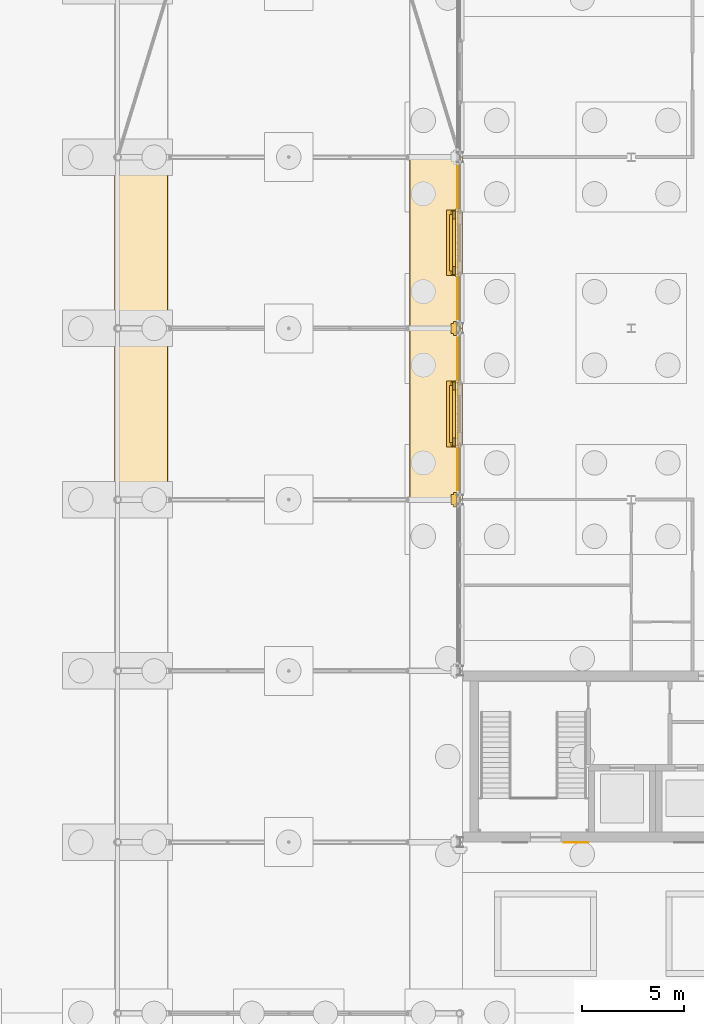
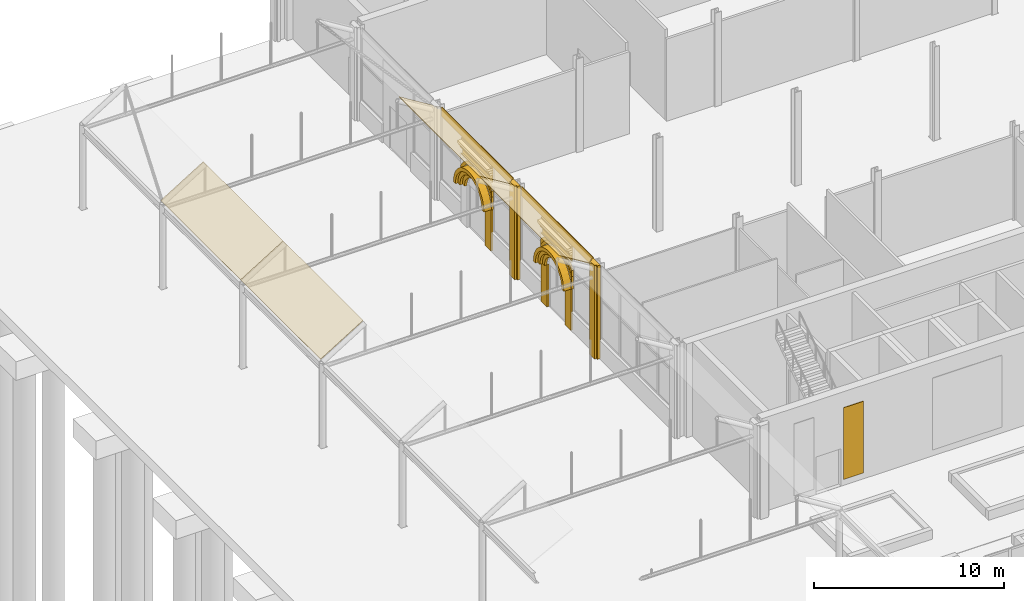
# One storey, part 201 of 212: 37 coverings.
"""IFC4 building model written with IfcOpenShell, lengths in metres."""

from ifc_helpers import new_model, si_unit, direction, frame, origin, origin_2d, place, context, subcontext, project, spatial, polyline, rectangle, outline, extrude, material, layer, layer_set, type_object, element, save


model = new_model("IFC4")

# Units and contexts
model_context = context("Model", 3, precision=1e-05, world=origin(), true_north=direction((0.0, 1.0)))
body_context = subcontext(model_context, "Body", "Model", "MODEL_VIEW")
ifc_project = project(units=[si_unit("LENGTHUNIT", "METRE"), si_unit("AREAUNIT", "SQUARE_METRE"), si_unit("VOLUMEUNIT", "CUBIC_METRE"), si_unit("PLANEANGLEUNIT", "RADIAN"), si_unit("MASSUNIT", "GRAM", prefix="KILO")], contexts=[model_context])

# Site, building, storey
site_placement = place(None, origin())
site = spatial("IfcSite", under=ifc_project, at=site_placement, CompositionType="ELEMENT")
building_placement = place(site_placement, origin())
building = spatial("IfcBuilding", under=site, at=building_placement, Name="Catenary Quay Ferry Terminal", CompositionType="ELEMENT")
storey_placement = place(building_placement, origin())
storey = spatial("IfcBuildingStorey", under=building, at=storey_placement, Name="L00", CompositionType="ELEMENT", Elevation=0.0)

# Coverings
ifc_material_1 = material(Name="Facing brick", Category="masonry")
ifc_layer_1 = layer(ifc_material_1, 0.114990234375)
ifc_layer_set_1 = layer_set([ifc_layer_1], Name="BK1")
covering_type_1 = type_object("IfcCoveringType", Name="BK1", PredefinedType="CLADDING", material=ifc_layer_set_1)
for number, where, z_axis, x_axis, name in (
    (1, (25.04248046875, 179.342529296875, 0.0), (0.0, 0.0, 1.0), (1.0, 0.0, 0.0), "Facing brick, lobby entrance"),
    (2, (25.04248046875, 181.857421875, 0.0), (0.0, 0.0, 1.0), (1.0, 0.0, 0.0), "Facing brick, lobby entrance"),
):
    element("IfcCovering", number, at=place(storey_placement, frame(where, z_axis=z_axis, x_axis=x_axis)), inside=storey, type_object=covering_type_1, Name=name, PredefinedType="CLADDING", context=body_context, shape_type="SweptSolid", body=[
        extrude(rectangle(XDim=0.114990234375, YDim=0.614990234375, at=origin_2d()), origin(), (0.0, 0.0, 1.0), 2.699951171875),
    ])
covering_1_placement = place(storey_placement, frame((25.04248046875, 180.60009765625, 4.35009765625), z_axis=(0.0, 0.0, 1.0), x_axis=(1.0, 0.0, 0.0)))
element("IfcCovering", 3, at=covering_1_placement, inside=storey, type_object=covering_type_1, Name="Facing brick, lobby entrance", PredefinedType="CLADDING", context=body_context, shape_type="SweptSolid", body=[
    extrude(rectangle(XDim=0.114990234375, YDim=3.1298828125, at=origin_2d()), origin(), (0.0, 0.0, 1.0), 0.050048828125),
])
covering_2_placement = place(storey_placement, frame((25.04248046875, 180.60009765625, 5.300048828125), z_axis=(0.0, 0.0, 1.0), x_axis=(1.0, 0.0, 0.0)))
element("IfcCovering", 4, at=covering_2_placement, inside=storey, type_object=covering_type_1, Name="Facing brick, lobby entrance", PredefinedType="CLADDING", context=body_context, shape_type="SweptSolid", body=[
    extrude(rectangle(XDim=0.114990234375, YDim=3.1298828125, at=origin_2d()), origin(), (0.0, 0.0, 1.0), 0.10009765625),
])
covering_3_placement = place(storey_placement, frame((25.04248046875, 187.742431640625, 0.0), z_axis=(0.0, 0.0, 1.0), x_axis=(1.0, 0.0, 0.0)))
element("IfcCovering", 5, at=covering_3_placement, inside=storey, type_object=covering_type_1, Name="Facing brick, lobby entrance", PredefinedType="CLADDING", context=body_context, shape_type="SweptSolid", body=[
    extrude(rectangle(XDim=0.114990234375, YDim=0.614990234375, at=origin_2d()), origin(), (0.0, 0.0, 1.0), 2.699951171875),
])
covering_4_placement = place(storey_placement, frame((25.04248046875, 189.0, 4.35009765625), z_axis=(0.0, 0.0, 1.0), x_axis=(1.0, 0.0, 0.0)))
element("IfcCovering", 6, at=covering_4_placement, inside=storey, type_object=covering_type_1, Name="Facing brick, lobby entrance", PredefinedType="CLADDING", context=body_context, shape_type="SweptSolid", body=[
    extrude(rectangle(XDim=0.114990234375, YDim=3.1298828125, at=origin_2d()), origin(), (0.0, 0.0, 1.0), 0.050048828125),
])
covering_5_placement = place(storey_placement, frame((25.04248046875, 189.0, 5.300048828125), z_axis=(0.0, 0.0, 1.0), x_axis=(1.0, 0.0, 0.0)))
element("IfcCovering", 7, at=covering_5_placement, inside=storey, type_object=covering_type_1, Name="Facing brick, lobby entrance", PredefinedType="CLADDING", context=body_context, shape_type="SweptSolid", body=[
    extrude(rectangle(XDim=0.114990234375, YDim=3.1298828125, at=origin_2d()), origin(), (0.0, 0.0, 1.0), 0.10009765625),
])
ifc_material_2 = material(Name="Ceramic tile")
ifc_layer_2 = layer(ifc_material_2, 0.0400390625)
ifc_layer_set_2 = layer_set([ifc_layer_2], Name="CL2")
covering_type_2 = type_object("IfcCoveringType", Name="CL2", PredefinedType="CLADDING", material=ifc_layer_set_2)
covering_6_placement = place(storey_placement, origin())
element("IfcCovering", 8, at=covering_6_placement, inside=storey, type_object=covering_type_2, Name="Ceramic pier casing", PredefinedType="CLADDING", context=body_context, shape_type="SweptSolid", body=[
    extrude(outline(polyline([(25.050048828125, 176.75), (24.8701171875, 176.75), (24.8701171875, 176.64990234375), (24.75, 176.64990234375), (24.75, 176.14990234375), (24.8701171875, 176.14990234375), (24.8701171875, 176.050048828125), (25.050048828125, 176.050048828125), (25.050048828125, 176.75)])), origin(), (0.0, 0.0, 1.0), 6.0),
])
covering_7_placement = place(storey_placement, origin())
element("IfcCovering", 9, at=covering_7_placement, inside=storey, type_object=covering_type_2, Name="Ceramic pier casing", PredefinedType="CLADDING", context=body_context, shape_type="SweptSolid", body=[
    extrude(outline(polyline([(25.050048828125, 185.14990234375), (24.8701171875, 185.14990234375), (24.8701171875, 185.050048828125), (24.75, 185.050048828125), (24.75, 184.550048828125), (24.8701171875, 184.550048828125), (24.8701171875, 184.449951171875), (25.050048828125, 184.449951171875), (25.050048828125, 185.14990234375)])), origin(), (0.0, 0.0, 1.0), 6.0),
])
ifc_material_3 = material(Name="Ceramic tile")
ifc_layer_3 = layer(ifc_material_3, 0.034912109375)
ifc_layer_set_3 = layer_set([ifc_layer_3], Name="CL5")
covering_type_3 = type_object("IfcCoveringType", Name="CL5", PredefinedType="CLADDING", material=ifc_layer_set_3)
covering_8_placement = place(storey_placement, frame((30.89990234375, 159.58251953125, 0.39990234375), z_axis=(0.0, 0.0, 1.0), x_axis=(1.0, 0.0, 0.0)))
element("IfcCovering", 10, at=covering_8_placement, inside=storey, type_object=covering_type_3, Name="Core h159.6 cladding CV301", PredefinedType="CLADDING", context=body_context, shape_type="SweptSolid", body=[
    extrude(rectangle(XDim=1.199951171875, YDim=0.034912109375, at=origin_2d()), origin(), (0.0, 0.0, 1.0), 4.60009765625),
])
ifc_material_4 = material(Name="Glazed ceramic tile, ochre")
ifc_layer_4 = layer(ifc_material_4, 0.030029296875)
ifc_layer_set_4 = layer_set([ifc_layer_4], Name="CL6")
covering_type_4 = type_object("IfcCoveringType", Name="CL6", PredefinedType="CLADDING", material=ifc_layer_set_4)
for number, where, z_axis, x_axis, name in (
    (11, (25.08056640625, 180.60009765625, 5.39990234375), (0.0, 0.0, 1.0), (1.0, 0.0, 0.0), "Band wing v25.2 cladding CV297"),
    (12, (25.08056640625, 189.0, 5.39990234375), (0.0, 0.0, 1.0), (1.0, 0.0, 0.0), "Band wing v25.2 cladding CV298"),
):
    element("IfcCovering", number, at=place(storey_placement, frame(where, z_axis=z_axis, x_axis=x_axis)), inside=storey, type_object=covering_type_4, Name=name, PredefinedType="CLADDING", context=body_context, shape_type="SweptSolid", body=[
        extrude(rectangle(XDim=0.030029296875, YDim=7.5, at=origin_2d()), origin(), (0.0, 0.0, 1.0), 0.60009765625),
    ])
ifc_material_5 = material(Name="Facing brick", Category="masonry")
ifc_layer_5 = layer(ifc_material_5, 0.10009765625)
ifc_layer_set_5 = layer_set([ifc_layer_5], Name="CN1")
covering_type_5 = type_object("IfcCoveringType", Name="CN1", PredefinedType="CLADDING", material=ifc_layer_set_5)
covering_9_placement = place(storey_placement, frame((25.0048828125, 180.60009765625, 4.85009765625), z_axis=(0.0, 0.0, 1.0), x_axis=(1.0, 0.0, 0.0)))
element("IfcCovering", 13, at=covering_9_placement, inside=storey, type_object=covering_type_5, Name="Brick corbelled cornice, lobby entrance", PredefinedType="CLADDING", context=body_context, shape_type="SweptSolid", body=[
    extrude(rectangle(XDim=0.18994140625, YDim=3.1298828125, at=origin_2d()), origin(), (0.0, 0.0, 1.0), 0.14990234375),
])
covering_10_placement = place(storey_placement, frame((24.967529296875, 180.60009765625, 5.0), z_axis=(0.0, 0.0, 1.0), x_axis=(1.0, 0.0, 0.0)))
element("IfcCovering", 14, at=covering_10_placement, inside=storey, type_object=covering_type_5, Name="Brick corbelled cornice, lobby entrance", PredefinedType="CLADDING", context=body_context, shape_type="SweptSolid", body=[
    extrude(rectangle(XDim=0.264892578125, YDim=3.1298828125, at=origin_2d()), origin(), (0.0, 0.0, 1.0), 0.14990234375),
])
covering_11_placement = place(storey_placement, frame((24.929931640625, 180.60009765625, 5.150146484375), z_axis=(0.0, 0.0, 1.0), x_axis=(1.0, 0.0, 0.0)))
element("IfcCovering", 15, at=covering_11_placement, inside=storey, type_object=covering_type_5, Name="Brick corbelled cornice, lobby entrance", PredefinedType="CLADDING", context=body_context, shape_type="SweptSolid", body=[
    extrude(rectangle(XDim=0.340087890625, YDim=3.1298828125, at=origin_2d()), origin(), (0.0, 0.0, 1.0), 0.14990234375),
])
covering_12_placement = place(storey_placement, frame((25.0048828125, 189.0, 4.85009765625), z_axis=(0.0, 0.0, 1.0), x_axis=(1.0, 0.0, 0.0)))
element("IfcCovering", 16, at=covering_12_placement, inside=storey, type_object=covering_type_5, Name="Brick corbelled cornice, lobby entrance", PredefinedType="CLADDING", context=body_context, shape_type="SweptSolid", body=[
    extrude(rectangle(XDim=0.18994140625, YDim=3.1298828125, at=origin_2d()), origin(), (0.0, 0.0, 1.0), 0.14990234375),
])
covering_13_placement = place(storey_placement, frame((24.967529296875, 189.0, 5.0), z_axis=(0.0, 0.0, 1.0), x_axis=(1.0, 0.0, 0.0)))
element("IfcCovering", 17, at=covering_13_placement, inside=storey, type_object=covering_type_5, Name="Brick corbelled cornice, lobby entrance", PredefinedType="CLADDING", context=body_context, shape_type="SweptSolid", body=[
    extrude(rectangle(XDim=0.264892578125, YDim=3.1298828125, at=origin_2d()), origin(), (0.0, 0.0, 1.0), 0.14990234375),
])
covering_14_placement = place(storey_placement, frame((24.929931640625, 189.0, 5.150146484375), z_axis=(0.0, 0.0, 1.0), x_axis=(1.0, 0.0, 0.0)))
element("IfcCovering", 18, at=covering_14_placement, inside=storey, type_object=covering_type_5, Name="Brick corbelled cornice, lobby entrance", PredefinedType="CLADDING", context=body_context, shape_type="SweptSolid", body=[
    extrude(rectangle(XDim=0.340087890625, YDim=3.1298828125, at=origin_2d()), origin(), (0.0, 0.0, 1.0), 0.14990234375),
])
ifc_material_6 = material(Name="Ceramic tile")
ifc_layer_6 = layer(ifc_material_6, 0.030029296875)
ifc_layer_set_6 = layer_set([ifc_layer_6], Name="FR1")
covering_type_6 = type_object("IfcCoveringType", Name="FR1", PredefinedType="CLADDING", material=ifc_layer_set_6)
for number, where, z_axis, x_axis, name in (
    (19, (25.0849609375, 180.60009765625, 4.39990234375), (0.0, 0.0, 1.0), (1.0, 0.0, 0.0), "Glazed tile frieze, lobby entrance"),
    (20, (25.0849609375, 189.0, 4.39990234375), (0.0, 0.0, 1.0), (1.0, 0.0, 0.0), "Glazed tile frieze, lobby entrance"),
):
    element("IfcCovering", number, at=place(storey_placement, frame(where, z_axis=z_axis, x_axis=x_axis)), inside=storey, type_object=covering_type_6, Name=name, PredefinedType="CLADDING", context=body_context, shape_type="SweptSolid", body=[
        extrude(rectangle(XDim=0.030029296875, YDim=3.1298828125, at=origin_2d()), origin(), (0.0, 0.0, 1.0), 0.449951171875),
    ])
ifc_material_7 = material(Name="Glazed ceramic tile, teal")
ifc_layer_7 = layer(ifc_material_7, 0.14990234375)
ifc_layer_set_7 = layer_set([ifc_layer_7], Name="KO1")
covering_type_7 = type_object("IfcCoveringType", Name="KO1", PredefinedType="CLADDING", material=ifc_layer_set_7)
covering_15_placement = place(storey_placement, frame((24.985107421875, 181.77001953125, 2.699951171875), z_axis=(1.0, 0.0, 0.0), x_axis=(0.0, -0.097922833129, 0.995194010609)))
element("IfcCovering", 21, at=covering_15_placement, inside=storey, type_object=covering_type_7, Name="Archivolt order, lobby door", PredefinedType="CLADDING", context=body_context, shape_type="SweptSolid", body=[
    extrude(outline(polyline([(0.0, 0.0), (0.22937385267755514, -3.469446951953614e-18), (0.45432803944068306, 0.04483772898263613), (0.666338696147507, 0.13265338279988656), (0.856981484293804, 0.26010544663556945), (1.0191464274517381, 0.4222511602969332), (1.1465997905777296, 0.6130802666735129), (1.2341553264751577, 0.8247622029322093), (1.2791042747082275, 1.049713271398596), (1.2788852143621632, 1.2793539983055797), (1.2342665457255912, 1.5040413108392792), (1.146450891908341, 1.716051967546103), (1.018998828072658, 1.9066947556924003), (0.8568531144112943, 2.0688596988503343), (0.6660240080347146, 2.196313061976326), (0.4541230114299538, 2.284135472103182), (0.22914803602188505, 2.3288414530485055), (0.20760788156641105, 2.1099279267890685), (0.3902270323397208, 2.0735600114714634), (0.5622858113411345, 2.0021692061639262), (0.7172202039305751, 1.898854578111016), (0.8489999439268219, 1.7671533152494208), (0.9524910156036674, 1.6122316557050065), (1.0236269001526175, 1.4401320789878962), (1.0598706033167011, 1.2574825248213606), (1.059947781161044, 1.071277332795752), (1.0235798658434387, 0.8886581820224423), (0.9524559347653299, 0.716818463367093), (0.8491413067124197, 0.5618840707776525), (0.7174400438508247, 0.43010433078140553), (0.5625183843064104, 0.32661325910456), (0.3903949006476183, 0.2552344072678638), (0.20774534648108248, 0.21899070410377994), (0.021540154455474015, 0.218913526259437), (0.0, 0.0)])), origin(), (0.0, 0.0, -1.0), 0.14990234375),
])
covering_16_placement = place(storey_placement, frame((24.985107421875, 190.169921875, 2.699951171875), z_axis=(1.0, 0.0, 0.0), x_axis=(0.0, -0.097922833129, 0.995194010609)))
element("IfcCovering", 22, at=covering_16_placement, inside=storey, type_object=covering_type_7, Name="Archivolt order, lobby door", PredefinedType="CLADDING", context=body_context, shape_type="SweptSolid", body=[
    extrude(outline(polyline([(0.0, 0.0), (0.22937385267755514, -3.469446951953614e-18), (0.45432803944068306, 0.04483772898263613), (0.666314789205825, 0.13241041551214025), (0.8569575773521221, 0.25986247934782314), (1.0191464274517381, 0.4222511602969332), (1.1465758836360478, 0.6128372993857666), (1.2341553264751577, 0.8247622029322093), (1.2791042747082275, 1.049713271398596), (1.278861307420481, 1.2791110310178333), (1.2342665457255912, 1.5040413108392792), (1.146426984966659, 1.7158090002583568), (1.018998828072658, 1.9066947556924003), (0.8568531144112943, 2.0688596988503343), (0.6660001010930325, 2.19607009468858), (0.45409910448827184, 2.283892504815436), (0.22912412908020305, 2.328598485760759), (0.20758397462472905, 2.1096849595013225), (0.3902031253980388, 2.073317044183717), (0.5622858113411345, 2.0021692061639262), (0.7171962969888931, 1.8986116108232698), (0.8489999439268219, 1.7671533152494208), (0.9524910156036674, 1.6122316557050065), (1.0236269001526175, 1.4401320789878962), (1.0598706033167011, 1.2574825248213606), (1.059947781161044, 1.071277332795752), (1.0235798658434387, 0.8886581820224423), (0.9524320278236478, 0.7165754960793467), (0.8491173997707377, 0.5616411034899061), (0.7174161369091427, 0.4298613634936592), (0.5625183843064104, 0.32661325910456), (0.3903949006476183, 0.2552344072678638), (0.20774534648108248, 0.21899070410377994), (0.021540154455474015, 0.218913526259437), (0.0, 0.0)])), origin(), (0.0, 0.0, -1.0), 0.14990234375),
])
ifc_material_8 = material(Name="Glazed ceramic tile, cream")
ifc_layer_8 = layer(ifc_material_8, 0.300048828125)
ifc_layer_set_8 = layer_set([ifc_layer_8], Name="KO2")
covering_type_8 = type_object("IfcCoveringType", Name="KO2", PredefinedType="CLADDING", material=ifc_layer_set_8)
covering_17_placement = place(storey_placement, frame((24.985107421875, 181.989990234375, 2.699951171875), z_axis=(1.0, 0.0, 0.0), x_axis=(0.0, -0.097641012893, 0.995221700226)))
element("IfcCovering", 23, at=covering_17_placement, inside=storey, type_object=covering_type_8, Name="Archivolt order, lobby door", PredefinedType="CLADDING", context=body_context, shape_type="SweptSolid", body=[
    extrude(outline(polyline([(0.0, 0.0), (0.2725425242570072, 3.469446951953614e-18), (0.5397623641054137, 0.053264460230237655), (0.7914115259260797, 0.15785505577028286), (1.017951692774445, 0.30906539462107696), (1.210549631711756, 0.5018745963219143), (1.3618345467554718, 0.7286651729676272), (1.466017269568833, 0.9804378994481198), (1.519204747922506, 1.2475168974541755), (1.5189617738745993, 1.520083259849096), (1.4656973136443616, 1.7873030996975023), (1.3613496921522232, 2.038928423380255), (1.2098963792535222, 2.265492428366534), (1.0170871775526849, 2.458090367303845), (0.7905395749548787, 2.6093514442096475), (0.538766848474386, 2.7135341670230084), (0.27144487642042375, 2.766745483514595), (0.2499667141604078, 2.547825866350579), (0.47495434026521743, 2.503183594994081), (0.6868801976830488, 2.4154211939313392), (0.8777453883021189, 2.2880218743783844), (1.0399370168860322, 2.125902853700776), (1.1674430613133153, 1.935296164724033), (1.2553187482057746, 1.7233103839136488), (1.3000010413901455, 1.4986357153808956), (1.30028513075849, 1.2689950597141912), (1.2553998853540855, 1.0440312717472953), (1.1679042964771635, 0.8323245502394572), (1.0405049769242087, 0.6414593596203871), (0.8783859562466004, 0.47926773103647363), (0.6877792672698577, 0.35176168660919066), (0.4757934864594734, 0.2638859997167314), (0.2508520057408999, 0.2189845706223673), (0.02147816226001597, 0.21891961716401598), (0.0, 0.0)])), origin(), (0.0, 0.0, -1.0), 0.300048828125),
])
covering_18_placement = place(storey_placement, frame((24.985107421875, 190.389892578125, 2.699951171875), z_axis=(1.0, 0.0, 0.0), x_axis=(0.0, -0.097641012893, 0.995221700226)))
element("IfcCovering", 24, at=covering_18_placement, inside=storey, type_object=covering_type_8, Name="Archivolt order, lobby door", PredefinedType="CLADDING", context=body_context, shape_type="SweptSolid", body=[
    extrude(outline(polyline([(0.0, 0.0), (0.2725425242570072, 3.469446951953614e-18), (0.5397623641054137, 0.053264460230237655), (0.7913876877881663, 0.15761208172237606), (1.017951692774445, 0.30906539462107696), (1.210549631711756, 0.5018745963219143), (1.3618107086175584, 0.7284221989197205), (1.4659934314309195, 0.9801949254002131), (1.519204747922506, 1.2475168974541755), (1.5189617738745993, 1.520083259849096), (1.4656973136443616, 1.7873030996975023), (1.3613496921522232, 2.038928423380255), (1.2098963792535222, 2.265492428366534), (1.0170871775526849, 2.458090367303845), (0.7905395749548787, 2.6093514442096475), (0.538766848474386, 2.7135341670230084), (0.27142103828251035, 2.766502509466688), (0.24994287602249435, 2.547582892302672), (0.474930502127304, 2.502940620946174), (0.6868563595451354, 2.4151782198834324), (0.8777453883021189, 2.2880218743783844), (1.0399370168860322, 2.125902853700776), (1.167419223175402, 1.9350531906761261), (1.2553187482057746, 1.7233103839136488), (1.2999772032522319, 1.4983927413329887), (1.30028513075849, 1.2689950597141912), (1.2553998853540855, 1.0440312717472953), (1.1678804583392501, 0.8320815761915504), (1.0405049769242087, 0.6414593596203871), (0.8783621181086869, 0.4790247569885668), (0.6877554291319443, 0.35151871256128386), (0.4757934864594734, 0.2638859997167314), (0.2508520057408999, 0.2189845706223673), (0.02147816226001597, 0.21891961716401598), (0.0, 0.0)])), origin(), (0.0, 0.0, -1.0), 0.300048828125),
])
ifc_material_9 = material(Name="Glazed ceramic tile, ochre")
ifc_layer_9 = layer(ifc_material_9, 0.449951171875)
ifc_layer_set_9 = layer_set([ifc_layer_9], Name="KO3")
covering_type_9 = type_object("IfcCoveringType", Name="KO3", PredefinedType="CLADDING", material=ifc_layer_set_9)
covering_19_placement = place(storey_placement, frame((24.985107421875, 182.2099609375, 2.699951171875), z_axis=(1.0, 0.0, 0.0), x_axis=(0.0, -0.097436256961, 0.995241767527)))
element("IfcCovering", 25, at=covering_19_placement, inside=storey, type_object=covering_type_9, Name="Archivolt order, lobby door", PredefinedType="CLADDING", context=body_context, shape_type="SweptSolid", body=[
    extrude(outline(polyline([(0.0, 0.0), (0.3157112117147934, 0.0), (0.6252205132400924, 0.06193414422111472), (0.9167034955324201, 0.18278983354937883), (1.1789695337950616, 0.3585111886362106), (1.4022196099286155, 0.5817170867793737), (1.577312278229115, 0.844226103989165), (1.6978553233176894, 1.1358705058617673), (1.7593052087979806, 1.4453203370153864), (1.7590622298508305, 1.7610553368788515), (1.6973710645768658, 2.0705408502554787), (1.5765153752486019, 2.3620238325478065), (1.4007940201617701, 2.624289870810448), (1.177588122018607, 2.8475399469440017), (0.9150791048088156, 3.0226326152445013), (0.6234347029362134, 3.1431756603330756), (0.31374189283544435, 3.2046493339620388), (0.29230877088194257, 2.985725302579842), (0.5596416848117269, 2.9325689852187073), (0.811435840198244, 2.828438063560359), (1.038014557992406, 2.677223599066151), (1.2308633801231017, 2.4846653321799494), (1.382363302401374, 2.258132491529655), (1.4867626903090212, 2.006528641332514), (1.5400821264039066, 1.7393197656065198), (1.5403811774157836, 1.4667534589688882), (1.4872486482033211, 1.1996635239862536), (1.383117726544973, 0.9478693685997367), (1.2318794739020928, 0.7210476718584247), (1.0393212070158913, 0.5281988497277289), (0.8128121545142688, 0.3769419063966066), (0.5611845161684559, 0.2722995395418096), (0.2939756404424615, 0.218980103446924), (0.02143312195350181, 0.21892403138219707), (0.0, 0.0)])), origin(), (0.0, 0.0, -1.0), 0.449951171875),
])
covering_20_placement = place(storey_placement, frame((24.985107421875, 190.610107421875, 2.699951171875), z_axis=(1.0, 0.0, 0.0), x_axis=(0.0, -0.09820213219, 0.995166489203)))
element("IfcCovering", 26, at=covering_20_placement, inside=storey, type_object=covering_type_9, Name="Archivolt order, lobby door", PredefinedType="CLADDING", context=body_context, shape_type="SweptSolid", body=[
    extrude(outline(polyline([(0.0, 0.0), (0.3157350933576299, -3.469446951953614e-18), (0.6252919656349863, 0.06169593809109913), (0.9168678680265029, 0.1823272762815218), (1.179245082652997, 0.35760378777778584), (1.4026668643165654, 0.5806378141903725), (1.5779614987456894, 0.8430120083280566), (1.6987289477131118, 1.1345635580285427), (1.7604409321510142, 1.4442089683841415), (1.7604409321510142, 1.7599440617417716), (1.6989879546285682, 2.069476958889199), (1.5783566164381455, 2.361052861280715), (1.4028371443732284, 2.6234540510371387), (1.1797791428307125, 2.8466328721320537), (0.9174049486930284, 3.021927506561178), (0.6258773741224716, 3.1429379160972535), (0.31623196376687246, 3.2046499005351556), (0.2946063965706845, 2.985499467610007), (0.5619222991820544, 2.932380396275411), (0.8136362444065486, 2.828055733267343), (1.0400985256184683, 2.6766669463053954), (1.2327991043762312, 2.483960326570012), (1.38412464985372, 2.257310963832424), (1.4883303811148947, 2.0056268459349287), (1.5414441665940735, 1.738377016516277), (1.5415334597945187, 1.4658105604504004), (1.488171427891269, 1.1985186329689597), (1.3838467648832016, 0.9468046877444654), (1.2324579779212534, 0.7203424065325459), (1.0397513581858706, 0.527641827774783), (0.8131019954482825, 0.37631628229729397), (0.5614178775507869, 0.2721105510361196), (0.29416804813213543, 0.21899676555694064), (0.02162556719618794, 0.21915043292514863), (0.0, 0.0)])), origin(), (0.0, 0.0, -1.0), 0.449951171875),
])
ifc_material_10 = material(Name="Laminated glass", Category="glass")
ifc_layer_10 = layer(ifc_material_10, 0.030029296875)
ifc_layer_set_10 = layer_set([ifc_layer_10], Name="RF2")
covering_type_10 = type_object("IfcCoveringType", Name="RF2", PredefinedType="ROOFING", material=ifc_layer_set_10)
for number, where, z_axis, x_axis, name in (
    (27, (8.265380859375, 176.39990234375, 5.618408203125), (-0.524540171999, 0.0, 0.851385698705), (0.0, 1.0, 0.0), "Forecourt canopy roof"),
    (28, (22.74169921875, 176.39990234375, 7.2158203125), (0.524540171999, 0.0, 0.851385698705), (0.0, 1.0, 0.0), "Forecourt canopy roof"),
):
    element("IfcCovering", number, at=place(storey_placement, frame(where, z_axis=z_axis, x_axis=x_axis)), inside=storey, type_object=covering_type_10, Name=name, PredefinedType="ROOFING", context=body_context, shape_type="SweptSolid", body=[
        extrude(outline(polyline([(0.0, 0.0), (8.400146484375, 0.0), (8.400146484375, -3.0453570472743348), (0.0, -3.0453570472743348), (0.0, 0.0)])), origin(), (0.0, 0.0, -1.0), 0.03515625),
    ])
for number, where, z_axis, x_axis, name in (
    (29, (8.265380859375, 184.800048828125, 5.618408203125), (-0.524540171999, 0.0, 0.851385698705), (0.0, 1.0, 0.0), "Forecourt canopy roof"),
    (30, (22.74169921875, 184.800048828125, 7.2158203125), (0.524540171999, 0.0, 0.851385698705), (0.0, 1.0, 0.0), "Forecourt canopy roof"),
):
    element("IfcCovering", number, at=place(storey_placement, frame(where, z_axis=z_axis, x_axis=x_axis)), inside=storey, type_object=covering_type_10, Name=name, PredefinedType="ROOFING", context=body_context, shape_type="SweptSolid", body=[
        extrude(outline(polyline([(0.0, 0.0), (8.39990234375, 0.0), (8.39990234375, -3.0453570472743348), (0.0, -3.0453570472743348), (0.0, 0.0)])), origin(), (0.0, 0.0, -1.0), 0.03515625),
    ])
ifc_material_11 = material(Name="Glazed ceramic tile, teal")
ifc_layer_11 = layer(ifc_material_11, 0.034912109375)
ifc_layer_set_11 = layer_set([ifc_layer_11], Name="TM1")
covering_type_11 = type_object("IfcCoveringType", Name="TM1", PredefinedType="CLADDING", material=ifc_layer_set_11)
covering_21_placement = place(storey_placement, frame((25.10009765625, 179.2919921875, 4.008056640625), z_axis=(1.0, 0.0, 0.0), x_axis=(0.0, -0.63473942336, -0.772726254525)))
element("IfcCovering", 31, at=covering_21_placement, inside=storey, type_object=covering_type_11, Name="Tile relief spandrel panel", PredefinedType="CLADDING", context=body_context, shape_type="SweptSolid", body=[
    extrude(outline(polyline([(0.0, 0.0), (0.36270727940025926, 0.0), (0.5951692739736203, 0.046247148882718414), (1.2279143564144492, 0.5660020380305423), (0.9589343625776364, 0.3861273099242001), (0.6602481217385063, 0.2624175341905764), (0.34301316282330907, 0.19898267015636983), (0.019505462706216448, 0.19895571960340788), (-0.2978372984208285, 0.26181114674893236), (-0.5965572274511611, 0.38546028373839153), (-0.8656854493292648, 0.5650116052091904), (-1.094610183826369, 0.7937005223678772), (-0.5748552946785451, 0.16095543992704836), (-0.3558012002037578, 0.07044200780431539), (0.0, 0.0)])), origin(), (0.0, 0.0, -1.0), 0.114990234375),
])
covering_22_placement = place(storey_placement, frame((25.10009765625, 181.627685546875, 4.23828125), z_axis=(1.0, 0.0, 0.0), x_axis=(0.0, -0.881724858893, 0.471764001604)))
element("IfcCovering", 32, at=covering_22_placement, inside=storey, type_object=covering_type_11, Name="Tile relief spandrel panel", PredefinedType="CLADDING", context=body_context, shape_type="SweptSolid", body=[
    extrude(outline(polyline([(0.0, 0.0), (0.2370176738152783, 1.3877787807814457e-17), (0.9588007431193099, 0.38618767025846545), (0.6601086815397351, 0.26236913450208804), (0.3428097895245185, 0.1992019754786219), (0.019510138111338907, 0.19900079336822166), (-0.29778473026166963, 0.26209753865304775), (-0.5967634763485647, 0.3856650997267008), (-0.8659456430193568, 0.5653242450010437), (-1.0945363011852451, 0.7938369450991523), (-1.2744388768131725, 1.06279831440378), (-0.8881360297965029, 0.3407999802416202), (-0.6909534197510233, 0.2092842169413297), (-0.35595100497586196, 0.07065666603839096), (0.0, 0.0)])), origin(), (0.0, 0.0, -1.0), 0.114990234375),
])
covering_23_placement = place(storey_placement, frame((25.10009765625, 187.69189453125, 4.008056640625), z_axis=(1.0, 0.0, 0.0), x_axis=(0.0, -0.634337249857, -0.773056436131)))
element("IfcCovering", 33, at=covering_23_placement, inside=storey, type_object=covering_type_11, Name="Tile relief spandrel panel", PredefinedType="CLADDING", context=body_context, shape_type="SweptSolid", body=[
    extrude(outline(polyline([(0.0, 0.0), (0.36255236280368675, 2.7755575615628914e-17), (0.595038390577817, 0.04612618118392181), (1.2280538414529094, 0.5655517515012884), (0.959135153833593, 0.38562827681860523), (0.6603845811350455, 0.2620739390114517), (0.34296178938747934, 0.1989928910376684), (0.019608986536351555, 0.19894554301444062), (-0.29770102485033184, 0.2619660907363217), (-0.5965114401893478, 0.3859593841754827), (-0.8653913287340746, 0.5654619875405857), (-1.0941970341193963, 0.7942699945659255), (-0.5749263312946704, 0.16144327817231047), (-0.35576449758483875, 0.07062713917570934), (0.0, 0.0)])), origin(), (0.0, 0.0, -1.0), 0.114990234375),
])
covering_24_placement = place(storey_placement, frame((25.10009765625, 190.02783203125, 4.23828125), z_axis=(1.0, 0.0, 0.0), x_axis=(0.0, -0.881953796704, 0.471335868017)))
element("IfcCovering", 34, at=covering_24_placement, inside=storey, type_object=covering_type_11, Name="Tile relief spandrel panel", PredefinedType="CLADDING", context=body_context, shape_type="SweptSolid", body=[
    extrude(outline(polyline([(0.0, 0.0), (0.2372329666326034, 0.0), (0.9592034452333906, 0.38583719859878707), (0.6602359841262386, 0.26204862039010896), (0.3431217825611535, 0.1991505898612213), (0.01960675082540536, 0.1989912977302667), (-0.29765744664217175, 0.26224208244189934), (-0.5963608446111008, 0.38606985555977136), (-0.8654557549264823, 0.5658596677757207), (-1.0941507638396843, 0.794368249620834), (-1.2737074165958138, 1.0635320022767225), (-0.887755145763624, 0.34134620292478696), (-0.690636409945037, 0.2097347228400779), (-0.35570133841704743, 0.07094454438685799), (0.0, 0.0)])), origin(), (0.0, 0.0, -1.0), 0.114990234375),
])
ifc_material_12 = material(Name="Glazed ceramic tile, cream")
ifc_layer_12 = layer(ifc_material_12, 0.034912109375)
ifc_layer_set_12 = layer_set([ifc_layer_12], Name="TM2")
covering_type_12 = type_object("IfcCoveringType", Name="TM2", PredefinedType="CLADDING", material=ifc_layer_set_12)
covering_25_placement = place(storey_placement, frame((25.10009765625, 178.949951171875, 3.9052734375), z_axis=(1.0, 0.0, 0.0), x_axis=(0.0, 0.0, -1.0)))
element("IfcCovering", 35, at=covering_25_placement, inside=storey, type_object=covering_type_12, Name="Tile relief spandrel panel", PredefinedType="CLADDING", context=body_context, shape_type="SweptSolid", body=[
    extrude(outline(polyline([(0.0, 0.0), (0.386474609375, 0.0), (0.177490234375, 0.11181640625), (-0.102783203125, 0.342041015625), (-0.3330078125, 0.622314453125), (-0.44482421875, 0.831298828125), (-0.44482421875, 0.44482421875), (-0.244384765625, 0.200439453125), (0.0, 0.0)])), origin(), (0.0, 0.0, -1.0), 0.114990234375),
])
covering_26_placement = place(storey_placement, frame((25.10009765625, 182.049560546875, 4.149658203125), z_axis=(1.0, 0.0, 0.0), x_axis=(0.0, -0.772888694773, 0.634541618408)))
element("IfcCovering", 36, at=covering_26_placement, inside=storey, type_object=covering_type_12, Name="Tile relief spandrel panel", PredefinedType="CLADDING", context=body_context, shape_type="SweptSolid", body=[
    extrude(outline(polyline([(0.0, 0.0), (0.31588070397610507, 0.0), (0.6147712539077677, 0.24538914149389504), (0.3822974296996192, 0.19920149424006128), (0.019401468651498444, 0.19913941406902116), (-0.33619299629207333, 0.2698274065149173), (-0.5552239161073989, 0.36039690395008106), (-0.30998969200081056, 0.06169504754741567), (0.0, 0.0)])), origin(), (0.0, 0.0, -1.0), 0.114990234375),
])
covering_27_placement = place(storey_placement, frame((25.10009765625, 187.35009765625, 3.9052734375), z_axis=(1.0, 0.0, 0.0), x_axis=(0.0, 0.0, -1.0)))
element("IfcCovering", 37, at=covering_27_placement, inside=storey, type_object=covering_type_12, Name="Tile relief spandrel panel", PredefinedType="CLADDING", context=body_context, shape_type="SweptSolid", body=[
    extrude(outline(polyline([(0.0, 0.0), (0.386474609375, 0.0), (0.177490234375, 0.11181640625), (-0.102783203125, 0.341796875), (-0.3330078125, 0.6220703125), (-0.44482421875, 0.831298828125), (-0.44482421875, 0.444580078125), (-0.244384765625, 0.2001953125), (0.0, 0.0)])), origin(), (0.0, 0.0, -1.0), 0.114990234375),
])

save(model, "model.ifc")
